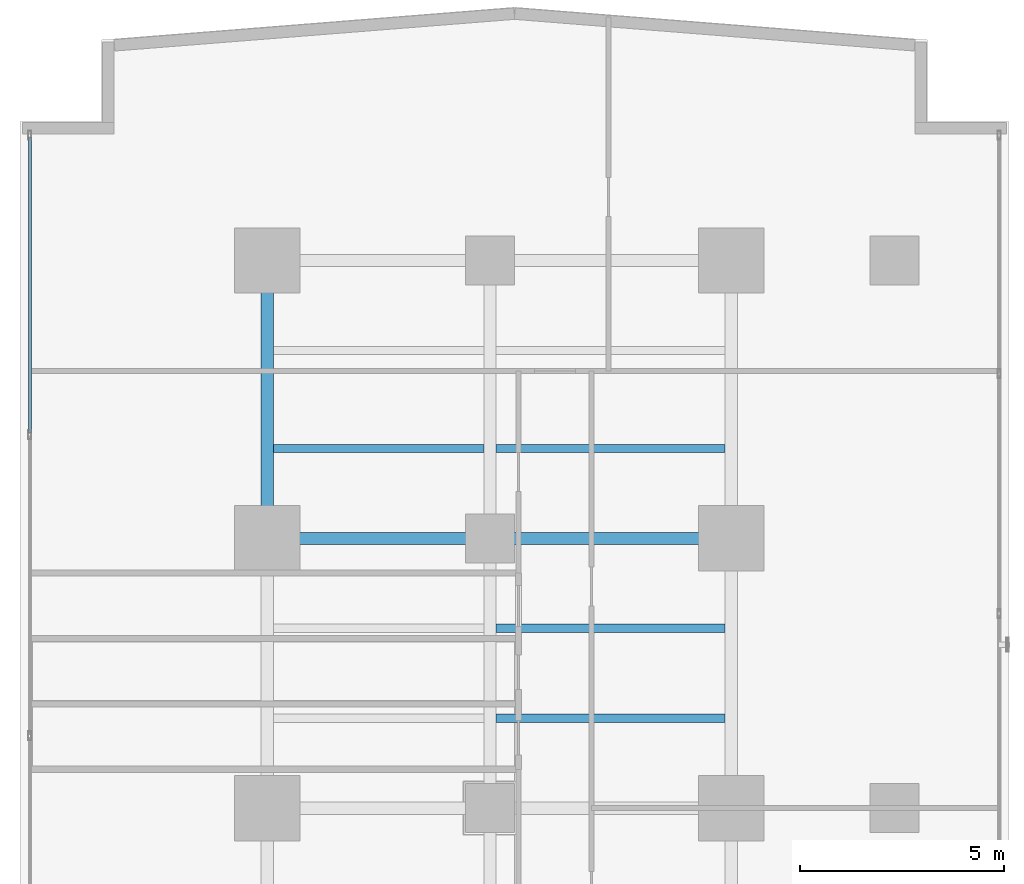
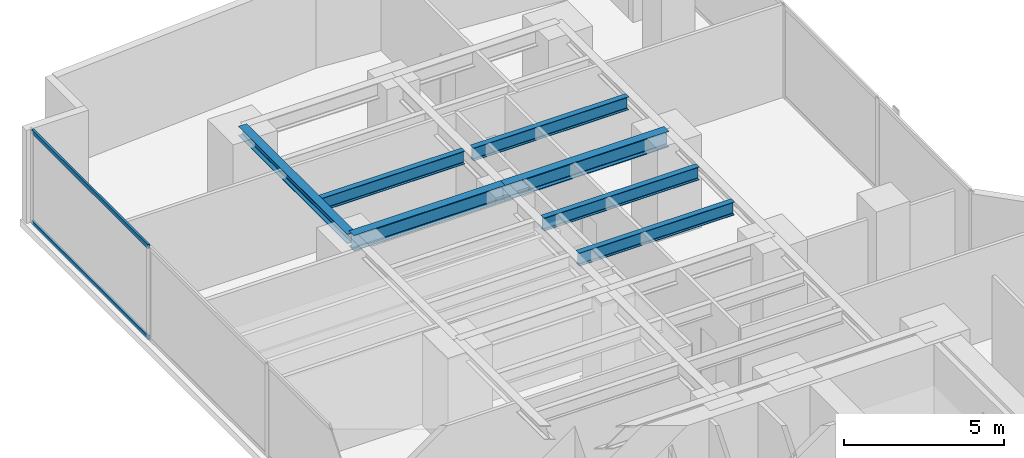
# One storey, part 16 of 26: 7 beams, 2 members, 1 element without a shape of its own.
"""IFC4 building model written with IfcOpenShell, lengths in metres."""

from ifc_helpers import new_model, si_unit, direction, frame, origin, origin_with_axes, origin_2d, place, context, subcontext, project, spatial, hollow_rectangle, i_section, extrude, source, transform, mapped, material, layer, layer_set, material_profile, profile_set, type_object, element, aggregate, save


model = new_model("IFC4")

# Units and contexts
model_context = context("Model", 3, precision=1e-05, world=origin(), true_north=direction((0.0, 1.0)))
body_context = subcontext(model_context, "Body", "Model", "MODEL_VIEW")
ifc_project = project(units=[si_unit("LENGTHUNIT", "METRE"), si_unit("AREAUNIT", "SQUARE_METRE"), si_unit("VOLUMEUNIT", "CUBIC_METRE"), si_unit("PLANEANGLEUNIT", "RADIAN"), si_unit("MASSUNIT", "GRAM", prefix="KILO")], contexts=[model_context])

# Site, building, storey
site_placement = place(None, origin())
site = spatial("IfcSite", under=ifc_project, at=site_placement, CompositionType="ELEMENT")
building_placement = place(site_placement, origin())
building = spatial("IfcBuilding", under=site, at=building_placement, Name="Kolvaren Waterfront Exchange", CompositionType="ELEMENT")
storey_placement = place(building_placement, frame((0.0, 0.0, 48.60009765625)))
storey = spatial("IfcBuildingStorey", under=building, at=storey_placement, Name="L12", CompositionType="ELEMENT", Elevation=48.60009765625)

# Beams
ifc_material_1 = material(Name="Steel S355", Category="steel")
ifc_material_profile_1 = material_profile(ifc_material_1, i_section(OverallWidth=0.300048828125, OverallDepth=0.360107421875, WebThickness=0.012451171875, FlangeThickness=0.0224609375, FilletRadius=0.027099609375, at=origin_2d()), Name="HEB360")
ifc_profile_set_1 = profile_set([ifc_material_profile_1], Name="Steel S355")
beam_type_1 = type_object("IfcBeamType", Name="STR-BM-HEB360", PredefinedType="SPANDREL", material=ifc_profile_set_1)
beam_1_placement = place(storey_placement, frame((7.449951171875, 37.800048828125, 3.35986328125), z_axis=(0.0, 1.0, 0.0), x_axis=(-1.0, 0.0, 0.0)))
element("IfcBeam", 1, at=beam_1_placement, inside=storey, type_object=beam_type_1, Name="L12 north-arm edge beam 3", PredefinedType="SPANDREL", context=body_context, shape_type="SweptSolid", body=[
    extrude(i_section(OverallWidth=0.300048828125, OverallDepth=0.360107421875, WebThickness=0.012451171875, FlangeThickness=0.0224609375, FilletRadius=0.027099609375, at=origin_2d()), origin(), (0.0, 0.0, 1.0), 6.800048828125),
])
ifc_material_profile_2 = material_profile(ifc_material_1, i_section(OverallWidth=0.300048828125, OverallDepth=0.60009765625, WebThickness=0.015380859375, FlangeThickness=0.030029296875, FilletRadius=0.027099609375, at=origin_2d()), Name="HEB600")
ifc_profile_set_2 = profile_set([ifc_material_profile_2], Name="Steel S355")
beam_type_2 = type_object("IfcBeamType", Name="STR-BM-HEB600", PredefinedType="BEAM", material=ifc_profile_set_2)
beam_2_placement = place(storey_placement, frame((7.449951171875, 37.800048828125, 3.239990234375), z_axis=(1.0, 0.0, 0.0), x_axis=(0.0, 1.0, 0.0)))
element("IfcBeam", 2, at=beam_2_placement, inside=storey, type_object=beam_type_2, Name="L12 north-arm girder 3A", PredefinedType="BEAM", context=body_context, shape_type="SweptSolid", body=[
    extrude(i_section(OverallWidth=0.300048828125, OverallDepth=0.60009765625, WebThickness=0.015380859375, FlangeThickness=0.030029296875, FilletRadius=0.027099609375, at=origin_2d()), origin(), (0.0, 0.0, 1.0), 5.449951171875),
])
beam_3_placement = place(storey_placement, frame((12.89990234375, 37.800048828125, 3.239990234375), z_axis=(1.0, 0.0, 0.0), x_axis=(0.0, 1.0, 0.0)))
element("IfcBeam", 3, at=beam_3_placement, inside=storey, type_object=beam_type_2, Name="L12 north-arm girder 3B", PredefinedType="BEAM", context=body_context, shape_type="SweptSolid", body=[
    extrude(i_section(OverallWidth=0.300048828125, OverallDepth=0.60009765625, WebThickness=0.015380859375, FlangeThickness=0.030029296875, FilletRadius=0.027099609375, at=origin_2d()), origin(), (0.0, 0.0, 1.0), 5.900146484375),
])
ifc_material_profile_3 = material_profile(ifc_material_1, i_section(OverallWidth=0.199951171875, OverallDepth=0.5, WebThickness=0.01025390625, FlangeThickness=0.01611328125, FilletRadius=0.02099609375, at=origin_2d()), Name="IPE500")
ifc_profile_set_3 = profile_set([ifc_material_profile_3], Name="Steel S355")
beam_type_3 = type_object("IfcBeamType", Name="STR-BM-IPE500", PredefinedType="JOIST", material=ifc_profile_set_3)
for number, where, z_axis, x_axis, name in (
    (4, (13.052001953125, 33.39990234375, 3.289794921875), (1.0, 0.0, 0.0), (0.0, 1.0, 0.0), "L12 north-arm composite joist 3B"),
    (5, (13.052001953125, 35.60009765625, 3.289794921875), (1.0, 0.0, 0.0), (0.0, 1.0, 0.0), "L12 north-arm composite joist 4B"),
):
    element("IfcBeam", number, at=place(storey_placement, frame(where, z_axis=z_axis, x_axis=x_axis)), inside=storey, type_object=beam_type_3, Name=name, PredefinedType="JOIST", context=body_context, shape_type="SweptSolid", body=[
        extrude(i_section(OverallWidth=0.199951171875, OverallDepth=0.5, WebThickness=0.01025390625, FlangeThickness=0.01611328125, FilletRadius=0.02099609375, at=origin_2d()), origin(), (0.0, 0.0, 1.0), 5.595947265625),
    ])
beam_4_placement = place(storey_placement, frame((7.60205078125, 40.0, 3.289794921875), z_axis=(1.0, 0.0, 0.0), x_axis=(0.0, 1.0, 0.0)))
element("IfcBeam", 6, at=beam_4_placement, inside=storey, type_object=beam_type_3, Name="L12 north-arm composite joist 5A", PredefinedType="JOIST", context=body_context, shape_type="SweptSolid", body=[
    extrude(i_section(OverallWidth=0.199951171875, OverallDepth=0.5, WebThickness=0.01025390625, FlangeThickness=0.01611328125, FilletRadius=0.02099609375, at=origin_2d()), origin(), (0.0, 0.0, 1.0), 5.14599609375),
])
beam_5_placement = place(storey_placement, frame((13.052001953125, 40.0, 3.289794921875), z_axis=(1.0, 0.0, 0.0), x_axis=(0.0, 1.0, 0.0)))
element("IfcBeam", 7, at=beam_5_placement, inside=storey, type_object=beam_type_3, Name="L12 north-arm composite joist 5B", PredefinedType="JOIST", context=body_context, shape_type="SweptSolid", body=[
    extrude(i_section(OverallWidth=0.199951171875, OverallDepth=0.5, WebThickness=0.01025390625, FlangeThickness=0.01611328125, FilletRadius=0.02099609375, at=origin_2d()), origin(), (0.0, 0.0, 1.0), 5.595947265625),
])

# Curtain wall, members
ifc_material_2 = material(Name="Anodised aluminium 6063-T6", Category="aluminium")
ifc_layer = layer(ifc_material_2, 0.219970703125, Name="Anodised aluminium 6063-T6")
ifc_layer_set = layer_set([ifc_layer], Name="Anodised aluminium 6063-T6")
curtain_wall_type = type_object("IfcCurtainWallType", Name="ARC-CW-SYS2", PredefinedType="USERDEFINED", material=ifc_layer_set)
curtain_wall_placement = place(storey_placement, origin())
curtain_wall = element("IfcCurtainWall", 8, at=curtain_wall_placement, inside=storey, type_object=curtain_wall_type, Name="L12 stick curtain wall CW2 (CW-L12-W)", ObjectType="STICK CURTAIN WALL", PredefinedType="USERDEFINED")
ifc_material_profile_4 = material_profile(ifc_material_2, hollow_rectangle(XDim=0.074951171875, YDim=0.159912109375, WallThickness=0.00439453125, at=origin_2d()), Name="ALU-TRN-160x75x4.5")
ifc_profile_set_4 = profile_set([ifc_material_profile_4], Name="Anodised aluminium 6063-T6")
member_type = type_object("IfcMemberType", Name="ARC-CWT-160", PredefinedType="USERDEFINED", material=ifc_profile_set_4)
shared_shape = source(origin_with_axes(), body_context, "Body", "SweptSolid", [
    extrude(hollow_rectangle(XDim=0.074951171875, YDim=0.159912109375, WallThickness=0.00439453125, at=origin_2d()), origin(), (0.0, 0.0, 1.0), 7.246826171875),
])
member_1_placement = place(storey_placement, frame((1.639892578125, 40.373291015625, 0.037353515625), z_axis=(0.0, 1.0, 0.0), x_axis=(-1.0, 0.0, 0.0)))
member_1 = element("IfcMember", 9, at=member_1_placement, type_object=member_type, Name="CW2 transom 6.1", ObjectType="TRANSOM", PredefinedType="USERDEFINED", context=body_context, shape_type="MappedRepresentation", body=[
    mapped(shared_shape, transform((0.0, 0.0, 0.0), x_axis=(1.0, 0.0, 0.0), y_axis=(0.0, 1.0, 0.0), z_axis=(0.0, 0.0, 1.0), scale=1.0)),
])
member_2_placement = place(storey_placement, frame((1.639892578125, 40.373291015625, 3.50244140625), z_axis=(0.0, 1.0, 0.0), x_axis=(-1.0, 0.0, 0.0)))
member_2 = element("IfcMember", 10, at=member_2_placement, type_object=member_type, Name="CW2 transom 6.2", ObjectType="TRANSOM", PredefinedType="USERDEFINED", context=body_context, shape_type="MappedRepresentation", body=[
    mapped(shared_shape, transform((0.0, 0.0, 0.0), x_axis=(1.0, 0.0, 0.0), y_axis=(0.0, 1.0, 0.0), z_axis=(0.0, 0.0, 1.0), scale=1.0)),
])
aggregate(curtain_wall, [member_1, member_2])

save(model, "model.ifc")
